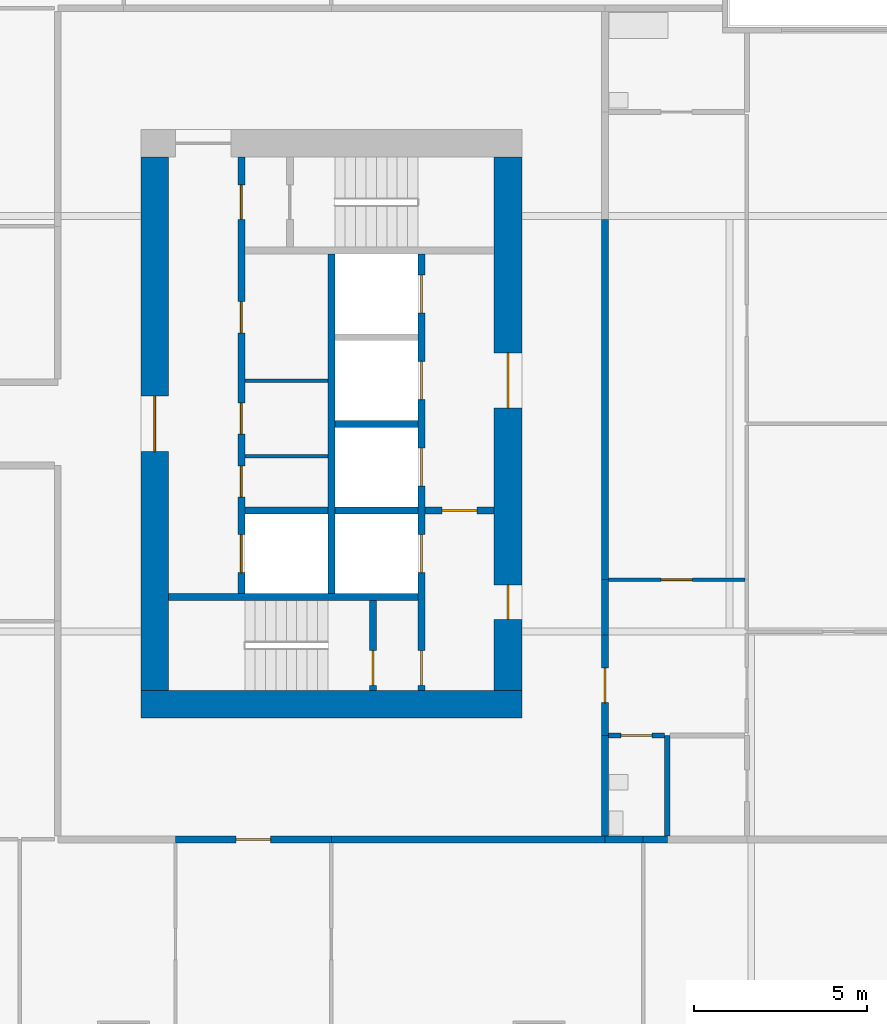
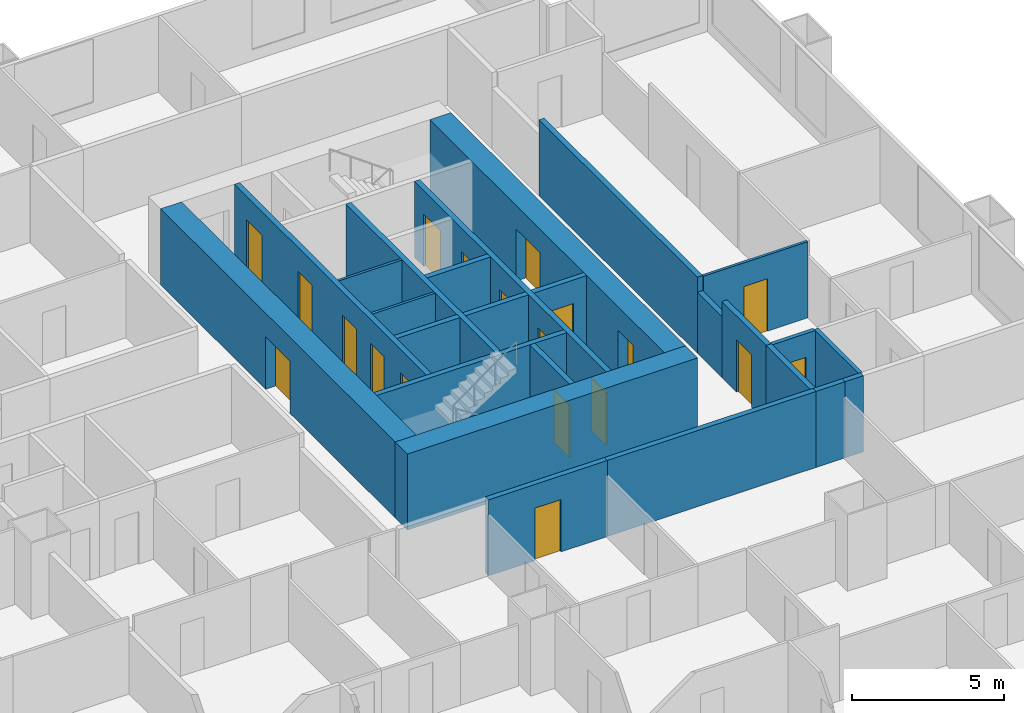
# One storey, part 7 of 14: 25 walls, 19 doors, 19 openings.
"""IFC4 building model written with IfcOpenShell, lengths in metres."""

from ifc_helpers import new_model, si_unit, direction, frame, frame_2d, origin, place, context, subcontext, project, spatial, rectangle, extrude, material, layer, layer_set, type_object, element, fill, save


model = new_model("IFC4")

# Units and contexts
model_context = context("Model", 3, precision=1e-05, world=origin(), true_north=direction((0.0, 1.0)))
body_context = subcontext(model_context, "Body", "Model", "MODEL_VIEW")
ifc_project = project(units=[si_unit("LENGTHUNIT", "METRE"), si_unit("AREAUNIT", "SQUARE_METRE"), si_unit("VOLUMEUNIT", "CUBIC_METRE"), si_unit("PLANEANGLEUNIT", "RADIAN"), si_unit("MASSUNIT", "GRAM", prefix="KILO")], contexts=[model_context])

# Site, building, storey
site_placement = place(None, origin())
site = spatial("IfcSite", under=ifc_project, at=site_placement, CompositionType="ELEMENT")
building_placement = place(site_placement, origin())
building = spatial("IfcBuilding", under=site, at=building_placement, Name="Kitamizu Gate Tower and Museum", CompositionType="ELEMENT")
storey_placement = place(building_placement, frame((0.0, 0.0, 61.050048828125)))
storey = spatial("IfcBuildingStorey", under=building, at=storey_placement, Name="L14", CompositionType="ELEMENT", Elevation=61.050048828125)

# Wall
ifc_material_1 = material(Name="Concrete Fc60", Category="concrete")
ifc_layer_1 = layer(ifc_material_1, 0.800048828125)
ifc_layer_set_1 = layer_set([ifc_layer_1], Name="Concrete Fc60")
wall_type_1 = type_object("IfcWallType", Name="Core wall 800", PredefinedType="SHEAR", material=ifc_layer_set_1)
wall_1_placement = place(storey_placement, frame((59.5, 21.89990234375, 0.0), z_axis=(0.0, 0.0, 1.0), x_axis=(-1.0, 0.0, 0.0)))
element("IfcWall", 1, at=wall_1_placement, inside=storey, type_object=wall_type_1, Name="Core wall ES", PredefinedType="SHEAR", context=body_context, shape_type="SweptSolid", body=[
    extrude(rectangle(XDim=11.0, YDim=0.800048828125, at=frame_2d((5.5, 0.0))), origin(), (0.0, 0.0, 1.0), 3.050048828125),
])

# Wall, openings, doors
wall_2_placement = place(storey_placement, frame((59.10009765625, 22.300048828125, 0.0), z_axis=(0.0, 0.0, 1.0), x_axis=(0.0, 1.0, 0.0)))
wall_2 = element("IfcWall", 2, at=wall_2_placement, inside=storey, type_object=wall_type_1, Name="Core wall EOUT", PredefinedType="SHEAR", context=body_context, shape_type="SweptSolid", body=[
    extrude(rectangle(XDim=15.39990234375, YDim=0.800048828125, at=frame_2d((7.699951171875, 0.0))), origin(), (0.0, 0.0, 1.0), 3.050048828125),
])
opening_1_placement = place(wall_2_placement, frame((8.14990234375, 0.0, 0.0)))
opening_1 = element("IfcOpeningElement", 3, at=opening_1_placement, cuts=wall_2, Name="Opening L14-102", PredefinedType="OPENING", context=body_context, shape_type="SweptSolid", body=[
    extrude(rectangle(XDim=1.60009765625, YDim=2.10009765625, at=frame_2d((0.800048828125, 1.050048828125))), frame((0.0, 0.41015625, 0.0), z_axis=(0.0, -1.0, 0.0), x_axis=(1.0, 0.0, 0.0)), (0.0, 0.0, 1.0), 0.820068359375),
])
opening_2_placement = place(wall_2_placement, frame((2.050048828125, 0.0, 0.0)))
opening_2 = element("IfcOpeningElement", 4, at=opening_2_placement, cuts=wall_2, Name="Opening L14-103", PredefinedType="OPENING", context=body_context, shape_type="SweptSolid", body=[
    extrude(rectangle(XDim=1.0, YDim=2.10009765625, at=frame_2d((0.5, 1.050048828125))), frame((0.0, 0.41015625, 0.0), z_axis=(0.0, -1.0, 0.0), x_axis=(1.0, 0.0, 0.0)), (0.0, 0.0, 1.0), 0.820068359375),
])
ifc_material_2 = material(Name="Timber door set", Category="wood")
door_type_1 = type_object("IfcDoorType", Name="Entrance door 1600", OperationType="DOUBLE_DOOR_SINGLE_SWING", PredefinedType="DOOR", material=ifc_material_2)
door_1_placement = place(opening_1_placement, origin())
door_1 = element("IfcDoor", 5, at=door_1_placement, inside=storey, type_object=door_type_1, Name="Lobby door L14-102", OperationType="DOUBLE_DOOR_SINGLE_SWING", OverallHeight=2.10009765625, OverallWidth=1.60009765625, PredefinedType="DOOR", context=body_context, shape_type="SweptSolid", body=[
    extrude(rectangle(XDim=1.60009765625, YDim=2.10009765625, at=frame_2d((0.800048828125, 1.050048828125))), frame((0.0, 0.02490234375, 0.0), z_axis=(0.0, -1.0, 0.0), x_axis=(1.0, 0.0, 0.0)), (0.0, 0.0, 1.0), 0.050048828125),
])
fill(opening_1, door_1)
ifc_material_3 = material(Name="Hollow metal door set")
door_type_2 = type_object("IfcDoorType", Name="Fire door 1000", OperationType="NOTDEFINED", PredefinedType="DOOR", material=ifc_material_3)
door_2_placement = place(opening_2_placement, origin())
door_2 = element("IfcDoor", 6, at=door_2_placement, inside=storey, type_object=door_type_2, Name="Fire-fighting lobby door L14-103", OperationType="SINGLE_SWING_RIGHT", OverallHeight=2.10009765625, OverallWidth=1.0, PredefinedType="DOOR", context=body_context, shape_type="SweptSolid", body=[
    extrude(rectangle(XDim=1.0, YDim=2.10009765625, at=frame_2d((0.5, 1.050048828125))), frame((0.0, 0.02490234375, 0.0), z_axis=(0.0, -1.0, 0.0), x_axis=(1.0, 0.0, 0.0)), (0.0, 0.0, 1.0), 0.050048828125),
])
fill(opening_2, door_2)

# Wall, opening, door
wall_3_placement = place(storey_placement, frame((48.89990234375, 22.300048828125, 0.0), z_axis=(0.0, 0.0, 1.0), x_axis=(0.0, 1.0, 0.0)))
wall_3 = element("IfcWall", 7, at=wall_3_placement, inside=storey, type_object=wall_type_1, Name="Core wall EARC", PredefinedType="SHEAR", context=body_context, shape_type="SweptSolid", body=[
    extrude(rectangle(XDim=15.39990234375, YDim=0.800048828125, at=frame_2d((7.699951171875, 0.0))), origin(), (0.0, 0.0, 1.0), 3.050048828125),
])
opening_3_placement = place(wall_3_placement, frame((6.89990234375, 0.0, 0.0)))
opening_3 = element("IfcOpeningElement", 8, at=opening_3_placement, cuts=wall_3, Name="Opening L14-105", PredefinedType="OPENING", context=body_context, shape_type="SweptSolid", body=[
    extrude(rectangle(XDim=1.60009765625, YDim=2.10009765625, at=frame_2d((0.800048828125, 1.050048828125))), frame((0.0, 0.41015625, 0.0), z_axis=(0.0, -1.0, 0.0), x_axis=(1.0, 0.0, 0.0)), (0.0, 0.0, 1.0), 0.820068359375),
])
door_3_placement = place(opening_3_placement, origin())
door_3 = element("IfcDoor", 9, at=door_3_placement, inside=storey, type_object=door_type_1, Name="Lobby door L14-105", OperationType="DOUBLE_DOOR_SINGLE_SWING", OverallHeight=2.10009765625, OverallWidth=1.60009765625, PredefinedType="DOOR", context=body_context, shape_type="SweptSolid", body=[
    extrude(rectangle(XDim=1.60009765625, YDim=2.10009765625, at=frame_2d((0.800048828125, 1.050048828125))), frame((0.0, 0.02490234375, 0.0), z_axis=(0.0, -1.0, 0.0), x_axis=(1.0, 0.0, 0.0)), (0.0, 0.0, 1.0), 0.050048828125),
])
fill(opening_3, door_3)

# Walls
ifc_material_4 = material(Name="Gypsum board on galvanised stud")
ifc_layer_2 = layer(ifc_material_4, 0.10009765625)
ifc_layer_set_2 = layer_set([ifc_layer_2], Name="Gypsum board on galvanised stud")
wall_type_2 = type_object("IfcWallType", Name="Partition 100", PredefinedType="PARTITIONING", material=ifc_layer_set_2)
for number, where, z_axis, x_axis, name in (
    (10, (53.89990234375, 29.06005859375, 0.0), (0.0, 0.0, 1.0), (-1.0, 0.0, 0.0), "Partition EPF1"),
    (11, (53.89990234375, 31.25, 0.0), (0.0, 0.0, 1.0), (-1.0, 0.0, 0.0), "Partition EPF2"),
):
    element("IfcWall", number, at=place(storey_placement, frame(where, z_axis=z_axis, x_axis=x_axis)), inside=storey, type_object=wall_type_2, Name=name, PredefinedType="PARTITIONING", context=body_context, shape_type="SweptSolid", body=[
        extrude(rectangle(XDim=2.39990234375, YDim=0.10009765625, at=frame_2d((1.199951171875, 0.0))), origin(), (0.0, 0.0, 1.0), 3.050048828125),
    ])

# Wall, opening, door
ifc_material_5 = material(Name="Gypsum board on galvanised stud")
ifc_layer_3 = layer(ifc_material_5, 0.10009765625)
ifc_layer_set_3 = layer_set([ifc_layer_3], Name="Gypsum board on galvanised stud")
wall_type_3 = type_object("IfcWallType", Name="Partition 100 NOT RATED", PredefinedType="PARTITIONING", material=ifc_layer_set_3)
wall_4_placement = place(storey_placement, frame((65.949951171875, 25.5, 0.0), z_axis=(0.0, 0.0, 1.0), x_axis=(-1.0, 0.0, 0.0)))
wall_4 = element("IfcWall", 12, at=wall_4_placement, inside=storey, type_object=wall_type_3, Name="Partition L14-220", PredefinedType="PARTITIONING", context=body_context, shape_type="SweptSolid", body=[
    extrude(rectangle(XDim=3.949951171875, YDim=0.10009765625, at=frame_2d((1.97509765625, 0.0))), origin(), (0.0, 0.0, 1.0), 3.050048828125),
])
opening_4_placement = place(wall_4_placement, frame((1.52490234375, 0.0, 0.0)))
opening_4 = element("IfcOpeningElement", 13, at=opening_4_placement, cuts=wall_4, Name="Opening L14-079", PredefinedType="OPENING", context=body_context, shape_type="SweptSolid", body=[
    extrude(rectangle(XDim=0.89990234375, YDim=2.10009765625, at=frame_2d((0.449951171875, 1.050048828125))), frame((0.0, 0.06005859375, 0.0), z_axis=(0.0, -1.0, 0.0), x_axis=(1.0, 0.0, 0.0)), (0.0, 0.0, 1.0), 0.1201171875),
])
ifc_material_6 = material(Name="Timber door set", Category="wood")
door_type_3 = type_object("IfcDoorType", Name="Room door 900", OperationType="NOTDEFINED", PredefinedType="DOOR", material=ifc_material_6)
door_4_placement = place(opening_4_placement, origin())
door_4 = element("IfcDoor", 14, at=door_4_placement, inside=storey, type_object=door_type_3, Name="Door L14-079", OperationType="SINGLE_SWING_RIGHT", OverallHeight=2.10009765625, OverallWidth=0.89990234375, PredefinedType="DOOR", context=body_context, shape_type="SweptSolid", body=[
    extrude(rectangle(XDim=0.89990234375, YDim=2.10009765625, at=frame_2d((0.449951171875, 1.050048828125))), frame((0.0, 0.02490234375, 0.0), z_axis=(0.0, -1.0, 0.0), x_axis=(1.0, 0.0, 0.0)), (0.0, 0.0, 1.0), 0.050048828125),
])
fill(opening_4, door_4)

# Wall
ifc_material_7 = material(Name="Gypsum board on galvanised stud")
ifc_layer_4 = layer(ifc_material_7, 0.14990234375)
ifc_layer_set_4 = layer_set([ifc_layer_4], Name="Gypsum board on galvanised stud")
wall_type_4 = type_object("IfcWallType", Name="Partition 150", PredefinedType="PARTITIONING", material=ifc_layer_set_4)
wall_5_placement = place(storey_placement, frame((63.699951171875, 18.10009765625, 0.0), z_axis=(0.0, 0.0, 1.0), x_axis=(0.0, 1.0, 0.0)))
element("IfcWall", 15, at=wall_5_placement, inside=storey, type_object=wall_type_4, Name="Partition L14-216", PredefinedType="PARTITIONING", context=body_context, shape_type="SweptSolid", body=[
    extrude(rectangle(XDim=2.89990234375, YDim=0.14990234375, at=frame_2d((1.449951171875, 0.0))), origin(), (0.0, 0.0, 1.0), 3.050048828125),
])

# Wall, opening, door
wall_6_placement = place(storey_placement, frame((63.625, 21.0, 0.0), z_axis=(0.0, 0.0, 1.0), x_axis=(-1.0, 0.0, 0.0)))
wall_6 = element("IfcWall", 16, at=wall_6_placement, inside=storey, type_object=wall_type_4, Name="Partition L14-217", PredefinedType="PARTITIONING", context=body_context, shape_type="SweptSolid", body=[
    extrude(rectangle(XDim=1.625, YDim=0.14990234375, at=frame_2d((0.8125, 0.0))), origin(), (0.0, 0.0, 1.0), 3.050048828125),
])
opening_5_placement = place(wall_6_placement, frame((0.362548828125, 0.0, 0.0)))
opening_5 = element("IfcOpeningElement", 17, at=opening_5_placement, cuts=wall_6, Name="Opening L14-082", PredefinedType="OPENING", context=body_context, shape_type="SweptSolid", body=[
    extrude(rectangle(XDim=0.89990234375, YDim=2.10009765625, at=frame_2d((0.449951171875, 1.050048828125))), frame((0.0, 0.0849609375, 0.0), z_axis=(0.0, -1.0, 0.0), x_axis=(1.0, 0.0, 0.0)), (0.0, 0.0, 1.0), 0.169921875),
])
ifc_material_8 = material(Name="Timber door set", Category="wood")
door_type_4 = type_object("IfcDoorType", Name="Bathroom door 900", OperationType="NOTDEFINED", PredefinedType="DOOR", material=ifc_material_8)
door_5_placement = place(opening_5_placement, origin())
door_5 = element("IfcDoor", 18, at=door_5_placement, inside=storey, type_object=door_type_4, Name="Bathroom door L14-082", OperationType="SINGLE_SWING_LEFT", OverallHeight=2.10009765625, OverallWidth=0.89990234375, PredefinedType="DOOR", context=body_context, shape_type="SweptSolid", body=[
    extrude(rectangle(XDim=0.89990234375, YDim=2.10009765625, at=frame_2d((0.449951171875, 1.050048828125))), frame((0.0, 0.02490234375, 0.0), z_axis=(0.0, -1.0, 0.0), x_axis=(1.0, 0.0, 0.0)), (0.0, 0.0, 1.0), 0.050048828125),
])
fill(opening_5, door_5)

ifc_material_9 = material(Name="Gypsum board on galvanised stud")
ifc_layer_5 = layer(ifc_material_9, 0.199951171875)
ifc_layer_set_5 = layer_set([ifc_layer_5], Name="Gypsum board on galvanised stud")
wall_type_5 = type_object("IfcWallType", Name="Partition 200", PredefinedType="PARTITIONING", material=ifc_layer_set_5)
wall_7_placement = place(storey_placement, frame((54.0, 18.0, 0.0), z_axis=(0.0, 0.0, 1.0), x_axis=(-1.0, 0.0, 0.0)))
wall_7 = element("IfcWall", 19, at=wall_7_placement, inside=storey, type_object=wall_type_5, Name="Partition L14-108", PredefinedType="PARTITIONING", context=body_context, shape_type="SweptSolid", body=[
    extrude(rectangle(XDim=4.5, YDim=0.199951171875, at=frame_2d((2.25, 0.0))), origin(), (0.0, 0.0, 1.0), 3.050048828125),
])
opening_6_placement = place(wall_7_placement, frame((1.75, 0.0, 0.0)))
opening_6 = element("IfcOpeningElement", 20, at=opening_6_placement, cuts=wall_7, Name="Opening L14-025", PredefinedType="OPENING", context=body_context, shape_type="SweptSolid", body=[
    extrude(rectangle(XDim=1.0, YDim=2.10009765625, at=frame_2d((0.5, 1.050048828125))), frame((0.0, 0.10986328125, 0.0), z_axis=(0.0, -1.0, 0.0), x_axis=(1.0, 0.0, 0.0)), (0.0, 0.0, 1.0), 0.219970703125),
])
ifc_material_10 = material(Name="Timber door set", Category="wood")
door_type_5 = type_object("IfcDoorType", Name="Flat entrance door 1000", OperationType="NOTDEFINED", PredefinedType="DOOR", material=ifc_material_10)
door_6_placement = place(opening_6_placement, origin())
door_6 = element("IfcDoor", 21, at=door_6_placement, inside=storey, type_object=door_type_5, Name="Flat entrance door L14-025", OperationType="SINGLE_SWING_RIGHT", OverallHeight=2.10009765625, OverallWidth=1.0, PredefinedType="DOOR", context=body_context, shape_type="SweptSolid", body=[
    extrude(rectangle(XDim=1.0, YDim=2.10009765625, at=frame_2d((0.5, 1.050048828125))), frame((0.0, 0.02490234375, 0.0), z_axis=(0.0, -1.0, 0.0), x_axis=(1.0, 0.0, 0.0)), (0.0, 0.0, 1.0), 0.050048828125),
])
fill(opening_6, door_6)

# Walls
wall_8_placement = place(storey_placement, frame((63.0, 18.0, 0.0), z_axis=(0.0, 0.0, 1.0), x_axis=(-1.0, 0.0, 0.0)))
element("IfcWall", 22, at=wall_8_placement, inside=storey, type_object=wall_type_5, Name="Partition L14-110", PredefinedType="PARTITIONING", context=body_context, shape_type="SweptSolid", body=[
    extrude(rectangle(XDim=1.10009765625, YDim=0.199951171875, at=frame_2d((0.550048828125, 0.0))), origin(), (0.0, 0.0, 1.0), 3.050048828125),
])
wall_9_placement = place(storey_placement, frame((61.89990234375, 18.0, 0.0), z_axis=(0.0, 0.0, 1.0), x_axis=(-1.0, 0.0, 0.0)))
element("IfcWall", 23, at=wall_9_placement, inside=storey, type_object=wall_type_5, Name="Partition L14-111", PredefinedType="PARTITIONING", context=body_context, shape_type="SweptSolid", body=[
    extrude(rectangle(XDim=7.89990234375, YDim=0.199951171875, at=frame_2d((3.949951171875, 0.0))), origin(), (0.0, 0.0, 1.0), 3.050048828125),
])
wall_10_placement = place(storey_placement, frame((63.699951171875, 18.0, 0.0), z_axis=(0.0, 0.0, 1.0), x_axis=(-1.0, 0.0, 0.0)))
element("IfcWall", 24, at=wall_10_placement, inside=storey, type_object=wall_type_5, Name="Partition L14-113", PredefinedType="PARTITIONING", context=body_context, shape_type="SweptSolid", body=[
    extrude(rectangle(XDim=0.699951171875, YDim=0.199951171875, at=frame_2d((0.35009765625, 0.0))), origin(), (0.0, 0.0, 1.0), 3.050048828125),
])
wall_11_placement = place(storey_placement, frame((61.89990234375, 21.0, 0.0), z_axis=(0.0, 0.0, 1.0), x_axis=(0.0, -1.0, 0.0)))
element("IfcWall", 25, at=wall_11_placement, inside=storey, type_object=wall_type_5, Name="Partition L14-218", PredefinedType="PARTITIONING", context=body_context, shape_type="SweptSolid", body=[
    extrude(rectangle(XDim=2.89990234375, YDim=0.199951171875, at=frame_2d((1.449951171875, 0.0))), origin(), (0.0, 0.0, 1.0), 3.050048828125),
])
wall_12_placement = place(storey_placement, frame((61.89990234375, 25.5, 0.0), z_axis=(0.0, 0.0, 1.0), x_axis=(0.0, -1.0, 0.0)))
element("IfcWall", 26, at=wall_12_placement, inside=storey, type_object=wall_type_5, Name="Partition L14-221", PredefinedType="PARTITIONING", context=body_context, shape_type="SweptSolid", body=[
    extrude(rectangle(XDim=1.60009765625, YDim=0.199951171875, at=frame_2d((0.800048828125, 0.0))), origin(), (0.0, 0.0, 1.0), 2.449951171875),
])

# Wall, opening, door
wall_13_placement = place(storey_placement, frame((61.89990234375, 23.89990234375, 0.0), z_axis=(0.0, 0.0, 1.0), x_axis=(0.0, -1.0, 0.0)))
wall_13 = element("IfcWall", 27, at=wall_13_placement, inside=storey, type_object=wall_type_5, Name="Partition L14-222", PredefinedType="PARTITIONING", context=body_context, shape_type="SweptSolid", body=[
    extrude(rectangle(XDim=2.89990234375, YDim=0.199951171875, at=frame_2d((1.449951171875, 0.0))), origin(), (0.0, 0.0, 1.0), 3.050048828125),
])
opening_7_placement = place(wall_13_placement, frame((0.949951171875, 0.0, 0.0)))
opening_7 = element("IfcOpeningElement", 28, at=opening_7_placement, cuts=wall_13, Name="Opening L14-077", PredefinedType="OPENING", context=body_context, shape_type="SweptSolid", body=[
    extrude(rectangle(XDim=1.0, YDim=2.10009765625, at=frame_2d((0.5, 1.050048828125))), frame((0.0, 0.10986328125, 0.0), z_axis=(0.0, -1.0, 0.0), x_axis=(1.0, 0.0, 0.0)), (0.0, 0.0, 1.0), 0.219970703125),
])
door_7_placement = place(opening_7_placement, origin())
door_7 = element("IfcDoor", 29, at=door_7_placement, inside=storey, type_object=door_type_5, Name="Flat entrance door L14-077", OperationType="SINGLE_SWING_LEFT", OverallHeight=2.10009765625, OverallWidth=1.0, PredefinedType="DOOR", context=body_context, shape_type="SweptSolid", body=[
    extrude(rectangle(XDim=1.0, YDim=2.10009765625, at=frame_2d((0.5, 1.050048828125))), frame((0.0, 0.02490234375, 0.0), z_axis=(0.0, -1.0, 0.0), x_axis=(1.0, 0.0, 0.0)), (0.0, 0.0, 1.0), 0.050048828125),
])
fill(opening_7, door_7)

# Wall
wall_14_placement = place(storey_placement, frame((61.89990234375, 35.89990234375, 0.0), z_axis=(0.0, 0.0, 1.0), x_axis=(0.0, -1.0, 0.0)))
element("IfcWall", 30, at=wall_14_placement, inside=storey, type_object=wall_type_5, Name="Partition L14-225", PredefinedType="PARTITIONING", context=body_context, shape_type="SweptSolid", body=[
    extrude(rectangle(XDim=10.39990234375, YDim=0.199951171875, at=frame_2d((5.199951171875, 0.0))), origin(), (0.0, 0.0, 1.0), 3.050048828125),
])

# Wall, openings, doors
ifc_material_11 = material(Name="Concrete Fc42", Category="concrete")
ifc_layer_6 = layer(ifc_material_11, 0.199951171875)
ifc_layer_set_6 = layer_set([ifc_layer_6], Name="Concrete Fc42")
wall_type_6 = type_object("IfcWallType", Name="Shaft wall 200", PredefinedType="SOLIDWALL", material=ifc_layer_set_6)
wall_15_placement = place(storey_placement, frame((56.60009765625, 22.300048828125, 0.0), z_axis=(0.0, 0.0, 1.0), x_axis=(0.0, 1.0, 0.0)))
wall_15 = element("IfcWall", 31, at=wall_15_placement, inside=storey, type_object=wall_type_6, Name="Shaft wall EWEST", PredefinedType="SOLIDWALL", context=body_context, shape_type="SweptSolid", body=[
    extrude(rectangle(XDim=12.599853515625, YDim=0.199951171875, at=frame_2d((6.2998046875, 0.0))), origin(), (0.0, 0.0, 1.0), 3.050048828125),
])
opening_8_placement = place(wall_15_placement, frame((3.39990234375, 0.0, 0.0)))
opening_8 = element("IfcOpeningElement", 32, at=opening_8_placement, cuts=wall_15, Name="Opening LD", PredefinedType="OPENING", context=body_context, shape_type="SweptSolid", body=[
    extrude(rectangle(XDim=1.10009765625, YDim=2.10009765625, at=frame_2d((0.550048828125, 1.050048828125))), frame((0.0, 0.10986328125, 0.0), z_axis=(0.0, -1.0, 0.0), x_axis=(1.0, 0.0, 0.0)), (0.0, 0.0, 1.0), 0.219970703125),
])
opening_9_placement = place(wall_15_placement, frame((5.89990234375, 0.0, 0.0)))
opening_9 = element("IfcOpeningElement", 33, at=opening_9_placement, cuts=wall_15, Name="Opening LD", PredefinedType="OPENING", context=body_context, shape_type="SweptSolid", body=[
    extrude(rectangle(XDim=1.10009765625, YDim=2.10009765625, at=frame_2d((0.550048828125, 1.050048828125))), frame((0.0, 0.10986328125, 0.0), z_axis=(0.0, -1.0, 0.0), x_axis=(1.0, 0.0, 0.0)), (0.0, 0.0, 1.0), 0.219970703125),
])
opening_10_placement = place(wall_15_placement, frame((8.39990234375, 0.0, 0.0)))
opening_10 = element("IfcOpeningElement", 34, at=opening_10_placement, cuts=wall_15, Name="Opening LD", PredefinedType="OPENING", context=body_context, shape_type="SweptSolid", body=[
    extrude(rectangle(XDim=1.10009765625, YDim=2.10009765625, at=frame_2d((0.550048828125, 1.050048828125))), frame((0.0, 0.10986328125, 0.0), z_axis=(0.0, -1.0, 0.0), x_axis=(1.0, 0.0, 0.0)), (0.0, 0.0, 1.0), 0.219970703125),
])
opening_11_placement = place(wall_15_placement, frame((10.89990234375, 0.0, 0.0)))
opening_11 = element("IfcOpeningElement", 35, at=opening_11_placement, cuts=wall_15, Name="Opening LD", PredefinedType="OPENING", context=body_context, shape_type="SweptSolid", body=[
    extrude(rectangle(XDim=1.10009765625, YDim=2.10009765625, at=frame_2d((0.550048828125, 1.050048828125))), frame((0.0, 0.10986328125, 0.0), z_axis=(0.0, -1.0, 0.0), x_axis=(1.0, 0.0, 0.0)), (0.0, 0.0, 1.0), 0.219970703125),
])
opening_12_placement = place(wall_15_placement, frame((0.14990234375, 0.0, 0.0)))
opening_12 = element("IfcOpeningElement", 36, at=opening_12_placement, cuts=wall_15, Name="Opening L14-098", PredefinedType="OPENING", context=body_context, shape_type="SweptSolid", body=[
    extrude(rectangle(XDim=1.0, YDim=2.10009765625, at=frame_2d((0.5, 1.050048828125))), frame((0.0, 0.10986328125, 0.0), z_axis=(0.0, -1.0, 0.0), x_axis=(1.0, 0.0, 0.0)), (0.0, 0.0, 1.0), 0.219970703125),
])
door_8_placement = place(opening_12_placement, origin())
door_8 = element("IfcDoor", 37, at=door_8_placement, inside=storey, type_object=door_type_2, Name="Stair lobby door L14-098", OperationType="SINGLE_SWING_RIGHT", OverallHeight=2.10009765625, OverallWidth=1.0, PredefinedType="DOOR", context=body_context, shape_type="SweptSolid", body=[
    extrude(rectangle(XDim=1.0, YDim=2.10009765625, at=frame_2d((0.5, 1.050048828125))), frame((0.0, 0.02490234375, 0.0), z_axis=(0.0, -1.0, 0.0), x_axis=(1.0, 0.0, 0.0)), (0.0, 0.0, 1.0), 0.050048828125),
])
fill(opening_12, door_8)
ifc_material_12 = material(Name="Hollow metal door set")
door_type_6 = type_object("IfcDoorType", Name="Landing door 1100", OperationType="SLIDING_TO_LEFT", PredefinedType="DOOR", material=ifc_material_12)
door_9_placement = place(opening_8_placement, origin())
door_9 = element("IfcDoor", 38, at=door_9_placement, inside=storey, type_object=door_type_6, Name="Landing door EFF1", OperationType="SLIDING_TO_LEFT", OverallHeight=2.10009765625, OverallWidth=1.10009765625, PredefinedType="DOOR", context=body_context, shape_type="SweptSolid", body=[
    extrude(rectangle(XDim=1.10009765625, YDim=2.10009765625, at=frame_2d((0.550048828125, 1.050048828125))), frame((0.0, 0.02490234375, 0.0), z_axis=(0.0, -1.0, 0.0), x_axis=(1.0, 0.0, 0.0)), (0.0, 0.0, 1.0), 0.050048828125),
])
fill(opening_8, door_9)
door_10_placement = place(opening_9_placement, origin())
door_10 = element("IfcDoor", 39, at=door_10_placement, inside=storey, type_object=door_type_6, Name="Landing door EL1", OperationType="SLIDING_TO_LEFT", OverallHeight=2.10009765625, OverallWidth=1.10009765625, PredefinedType="DOOR", context=body_context, shape_type="SweptSolid", body=[
    extrude(rectangle(XDim=1.10009765625, YDim=2.10009765625, at=frame_2d((0.550048828125, 1.050048828125))), frame((0.0, 0.02490234375, 0.0), z_axis=(0.0, -1.0, 0.0), x_axis=(1.0, 0.0, 0.0)), (0.0, 0.0, 1.0), 0.050048828125),
])
fill(opening_9, door_10)
door_11_placement = place(opening_10_placement, origin())
door_11 = element("IfcDoor", 40, at=door_11_placement, inside=storey, type_object=door_type_6, Name="Landing door EL2", OperationType="SLIDING_TO_LEFT", OverallHeight=2.10009765625, OverallWidth=1.10009765625, PredefinedType="DOOR", context=body_context, shape_type="SweptSolid", body=[
    extrude(rectangle(XDim=1.10009765625, YDim=2.10009765625, at=frame_2d((0.550048828125, 1.050048828125))), frame((0.0, 0.02490234375, 0.0), z_axis=(0.0, -1.0, 0.0), x_axis=(1.0, 0.0, 0.0)), (0.0, 0.0, 1.0), 0.050048828125),
])
fill(opening_10, door_11)
door_12_placement = place(opening_11_placement, origin())
door_12 = element("IfcDoor", 41, at=door_12_placement, inside=storey, type_object=door_type_6, Name="Landing door EL3", OperationType="SLIDING_TO_LEFT", OverallHeight=2.10009765625, OverallWidth=1.10009765625, PredefinedType="DOOR", context=body_context, shape_type="SweptSolid", body=[
    extrude(rectangle(XDim=1.10009765625, YDim=2.10009765625, at=frame_2d((0.550048828125, 1.050048828125))), frame((0.0, 0.02490234375, 0.0), z_axis=(0.0, -1.0, 0.0), x_axis=(1.0, 0.0, 0.0)), (0.0, 0.0, 1.0), 0.050048828125),
])
fill(opening_11, door_12)

wall_16_placement = place(storey_placement, frame((51.39990234375, 25.10009765625, 0.0), z_axis=(0.0, 0.0, 1.0), x_axis=(0.0, 1.0, 0.0)))
wall_16 = element("IfcWall", 42, at=wall_16_placement, inside=storey, type_object=wall_type_6, Name="Shaft wall EEAST", PredefinedType="SOLIDWALL", context=body_context, shape_type="SweptSolid", body=[
    extrude(rectangle(XDim=12.599853515625, YDim=0.199951171875, at=frame_2d((6.2998046875, 0.0))), origin(), (0.0, 0.0, 1.0), 3.050048828125),
])
opening_13_placement = place(wall_16_placement, frame((0.60009765625, 0.0, 0.0)))
opening_13 = element("IfcOpeningElement", 43, at=opening_13_placement, cuts=wall_16, Name="Opening LD", PredefinedType="OPENING", context=body_context, shape_type="SweptSolid", body=[
    extrude(rectangle(XDim=1.10009765625, YDim=2.10009765625, at=frame_2d((0.550048828125, 1.050048828125))), frame((0.0, 0.10986328125, 0.0), z_axis=(0.0, -1.0, 0.0), x_axis=(1.0, 0.0, 0.0)), (0.0, 0.0, 1.0), 0.219970703125),
])
opening_14_placement = place(wall_16_placement, frame((10.800048828125, 0.0, 0.0)))
opening_14 = element("IfcOpeningElement", 44, at=opening_14_placement, cuts=wall_16, Name="Opening L14-099", PredefinedType="OPENING", context=body_context, shape_type="SweptSolid", body=[
    extrude(rectangle(XDim=1.0, YDim=2.10009765625, at=frame_2d((0.5, 1.050048828125))), frame((0.0, 0.10986328125, 0.0), z_axis=(0.0, -1.0, 0.0), x_axis=(1.0, 0.0, 0.0)), (0.0, 0.0, 1.0), 0.219970703125),
])
opening_15_placement = place(wall_16_placement, frame((2.780029296875, 0.0, 0.0)))
opening_15 = element("IfcOpeningElement", 45, at=opening_15_placement, cuts=wall_16, Name="Opening L14-106", PredefinedType="OPENING", context=body_context, shape_type="SweptSolid", body=[
    extrude(rectangle(XDim=0.89990234375, YDim=2.10009765625, at=frame_2d((0.449951171875, 1.050048828125))), frame((0.0, 0.10986328125, 0.0), z_axis=(0.0, -1.0, 0.0), x_axis=(1.0, 0.0, 0.0)), (0.0, 0.0, 1.0), 0.219970703125),
])
opening_16_placement = place(wall_16_placement, frame((4.60498046875, 0.0, 0.0)))
opening_16 = element("IfcOpeningElement", 46, at=opening_16_placement, cuts=wall_16, Name="Opening L14-107", PredefinedType="OPENING", context=body_context, shape_type="SweptSolid", body=[
    extrude(rectangle(XDim=0.89990234375, YDim=2.10009765625, at=frame_2d((0.449951171875, 1.050048828125))), frame((0.0, 0.10986328125, 0.0), z_axis=(0.0, -1.0, 0.0), x_axis=(1.0, 0.0, 0.0)), (0.0, 0.0, 1.0), 0.219970703125),
])
opening_17_placement = place(wall_16_placement, frame((7.52490234375, 0.0, 0.0)))
opening_17 = element("IfcOpeningElement", 47, at=opening_17_placement, cuts=wall_16, Name="Opening L14-108", PredefinedType="OPENING", context=body_context, shape_type="SweptSolid", body=[
    extrude(rectangle(XDim=0.89990234375, YDim=2.10009765625, at=frame_2d((0.449951171875, 1.050048828125))), frame((0.0, 0.10986328125, 0.0), z_axis=(0.0, -1.0, 0.0), x_axis=(1.0, 0.0, 0.0)), (0.0, 0.0, 1.0), 0.219970703125),
])
door_13_placement = place(opening_14_placement, frame((1.0, 0.0, 0.0), x_axis=(-1.0, 0.0, 0.0)))
door_13 = element("IfcDoor", 48, at=door_13_placement, inside=storey, type_object=door_type_2, Name="Stair lobby door L14-099", OperationType="SINGLE_SWING_RIGHT", OverallHeight=2.10009765625, OverallWidth=1.0, PredefinedType="DOOR", context=body_context, shape_type="SweptSolid", body=[
    extrude(rectangle(XDim=1.0, YDim=2.10009765625, at=frame_2d((0.5, 1.050048828125))), frame((0.0, 0.02490234375, 0.0), z_axis=(0.0, -1.0, 0.0), x_axis=(1.0, 0.0, 0.0)), (0.0, 0.0, 1.0), 0.050048828125),
])
fill(opening_14, door_13)
door_14_placement = place(opening_13_placement, origin())
door_14 = element("IfcDoor", 49, at=door_14_placement, inside=storey, type_object=door_type_6, Name="Landing door ESV1", OperationType="SLIDING_TO_LEFT", OverallHeight=2.10009765625, OverallWidth=1.10009765625, PredefinedType="DOOR", context=body_context, shape_type="SweptSolid", body=[
    extrude(rectangle(XDim=1.10009765625, YDim=2.10009765625, at=frame_2d((0.550048828125, 1.050048828125))), frame((0.0, 0.02490234375, 0.0), z_axis=(0.0, -1.0, 0.0), x_axis=(1.0, 0.0, 0.0)), (0.0, 0.0, 1.0), 0.050048828125),
])
fill(opening_13, door_14)
ifc_material_13 = material(Name="Timber door set", Category="wood")
door_type_7 = type_object("IfcDoorType", Name="Service door 900", OperationType="NOTDEFINED", PredefinedType="DOOR", material=ifc_material_13)
door_15_placement = place(opening_15_placement, frame((0.89990234375, 0.0, 0.0), x_axis=(-1.0, 0.0, 0.0)))
door_15 = element("IfcDoor", 50, at=door_15_placement, inside=storey, type_object=door_type_7, Name="Service door L14-106", OperationType="SINGLE_SWING_RIGHT", OverallHeight=2.10009765625, OverallWidth=0.89990234375, PredefinedType="DOOR", context=body_context, shape_type="SweptSolid", body=[
    extrude(rectangle(XDim=0.89990234375, YDim=2.10009765625, at=frame_2d((0.449951171875, 1.050048828125))), frame((0.0, 0.02490234375, 0.0), z_axis=(0.0, -1.0, 0.0), x_axis=(1.0, 0.0, 0.0)), (0.0, 0.0, 1.0), 0.050048828125),
])
fill(opening_15, door_15)
door_16_placement = place(opening_16_placement, frame((0.89990234375, 0.0, 0.0), x_axis=(-1.0, 0.0, 0.0)))
door_16 = element("IfcDoor", 51, at=door_16_placement, inside=storey, type_object=door_type_7, Name="Service door L14-107", OperationType="SINGLE_SWING_LEFT", OverallHeight=2.10009765625, OverallWidth=0.89990234375, PredefinedType="DOOR", context=body_context, shape_type="SweptSolid", body=[
    extrude(rectangle(XDim=0.89990234375, YDim=2.10009765625, at=frame_2d((0.449951171875, 1.050048828125))), frame((0.0, 0.02490234375, 0.0), z_axis=(0.0, -1.0, 0.0), x_axis=(1.0, 0.0, 0.0)), (0.0, 0.0, 1.0), 0.050048828125),
])
fill(opening_16, door_16)
door_17_placement = place(opening_17_placement, frame((0.89990234375, 0.0, 0.0), x_axis=(-1.0, 0.0, 0.0)))
door_17 = element("IfcDoor", 52, at=door_17_placement, inside=storey, type_object=door_type_7, Name="Service door L14-108", OperationType="SINGLE_SWING_RIGHT", OverallHeight=2.10009765625, OverallWidth=0.89990234375, PredefinedType="DOOR", context=body_context, shape_type="SweptSolid", body=[
    extrude(rectangle(XDim=0.89990234375, YDim=2.10009765625, at=frame_2d((0.449951171875, 1.050048828125))), frame((0.0, 0.02490234375, 0.0), z_axis=(0.0, -1.0, 0.0), x_axis=(1.0, 0.0, 0.0)), (0.0, 0.0, 1.0), 0.050048828125),
])
fill(opening_17, door_17)

# Walls
wall_17_placement = place(storey_placement, frame((54.0, 25.10009765625, 0.0), z_axis=(0.0, 0.0, 1.0), x_axis=(0.0, 1.0, 0.0)))
element("IfcWall", 53, at=wall_17_placement, inside=storey, type_object=wall_type_6, Name="Shaft wall EMID", PredefinedType="SOLIDWALL", context=body_context, shape_type="SweptSolid", body=[
    extrude(rectangle(XDim=9.7998046875, YDim=0.199951171875, at=frame_2d((4.89990234375, 0.0))), origin(), (0.0, 0.0, 1.0), 3.050048828125),
])
wall_18_placement = place(storey_placement, frame((56.5, 25.0, 0.0), z_axis=(0.0, 0.0, 1.0), x_axis=(-1.0, 0.0, 0.0)))
element("IfcWall", 54, at=wall_18_placement, inside=storey, type_object=wall_type_6, Name="Shaft wall ESB", PredefinedType="SOLIDWALL", context=body_context, shape_type="SweptSolid", body=[
    extrude(rectangle(XDim=7.199951171875, YDim=0.199951171875, at=frame_2d((3.60009765625, 0.0))), origin(), (0.0, 0.0, 1.0), 3.050048828125),
])

# Wall, opening, door
wall_19_placement = place(storey_placement, frame((58.699951171875, 27.5, 0.0), z_axis=(0.0, 0.0, 1.0), x_axis=(-1.0, 0.0, 0.0)))
wall_19 = element("IfcWall", 55, at=wall_19_placement, inside=storey, type_object=wall_type_6, Name="Shaft wall EFFN", PredefinedType="SOLIDWALL", context=body_context, shape_type="SweptSolid", body=[
    extrude(rectangle(XDim=2.0, YDim=0.199951171875, at=frame_2d((1.0, 0.0))), origin(), (0.0, 0.0, 1.0), 3.050048828125),
])
opening_18_placement = place(wall_19_placement, frame((0.5, 0.0, 0.0)))
opening_18 = element("IfcOpeningElement", 56, at=opening_18_placement, cuts=wall_19, Name="Opening L14-101", PredefinedType="OPENING", context=body_context, shape_type="SweptSolid", body=[
    extrude(rectangle(XDim=1.0, YDim=2.10009765625, at=frame_2d((0.5, 1.050048828125))), frame((0.0, 0.10986328125, 0.0), z_axis=(0.0, -1.0, 0.0), x_axis=(1.0, 0.0, 0.0)), (0.0, 0.0, 1.0), 0.219970703125),
])
door_18_placement = place(opening_18_placement, origin())
door_18 = element("IfcDoor", 57, at=door_18_placement, inside=storey, type_object=door_type_2, Name="Fire-fighting lobby door L14-101", OperationType="SINGLE_SWING_LEFT", OverallHeight=2.10009765625, OverallWidth=1.0, PredefinedType="DOOR", context=body_context, shape_type="SweptSolid", body=[
    extrude(rectangle(XDim=1.0, YDim=2.10009765625, at=frame_2d((0.5, 1.050048828125))), frame((0.0, 0.02490234375, 0.0), z_axis=(0.0, -1.0, 0.0), x_axis=(1.0, 0.0, 0.0)), (0.0, 0.0, 1.0), 0.050048828125),
])
fill(opening_18, door_18)

wall_20_placement = place(storey_placement, frame((55.199951171875, 22.300048828125, 0.0), z_axis=(0.0, 0.0, 1.0), x_axis=(0.0, 1.0, 0.0)))
wall_20 = element("IfcWall", 58, at=wall_20_placement, inside=storey, type_object=wall_type_6, Name="Shaft wall ESZ", PredefinedType="SOLIDWALL", context=body_context, shape_type="SweptSolid", body=[
    extrude(rectangle(XDim=2.599853515625, YDim=0.199951171875, at=frame_2d((1.2998046875, 0.0))), origin(), (0.0, 0.0, 1.0), 3.050048828125),
])
opening_19_placement = place(wall_20_placement, frame((0.14990234375, 0.0, 0.0)))
opening_19 = element("IfcOpeningElement", 59, at=opening_19_placement, cuts=wall_20, Name="Opening L14-097", PredefinedType="OPENING", context=body_context, shape_type="SweptSolid", body=[
    extrude(rectangle(XDim=1.0, YDim=2.10009765625, at=frame_2d((0.5, 1.050048828125))), frame((0.0, 0.10986328125, 0.0), z_axis=(0.0, -1.0, 0.0), x_axis=(1.0, 0.0, 0.0)), (0.0, 0.0, 1.0), 0.219970703125),
])
door_19_placement = place(opening_19_placement, origin())
door_19 = element("IfcDoor", 60, at=door_19_placement, inside=storey, type_object=door_type_2, Name="Stair door L14-097", OperationType="SINGLE_SWING_RIGHT", OverallHeight=2.10009765625, OverallWidth=1.0, PredefinedType="DOOR", context=body_context, shape_type="SweptSolid", body=[
    extrude(rectangle(XDim=1.0, YDim=2.10009765625, at=frame_2d((0.5, 1.050048828125))), frame((0.0, 0.02490234375, 0.0), z_axis=(0.0, -1.0, 0.0), x_axis=(1.0, 0.0, 0.0)), (0.0, 0.0, 1.0), 0.050048828125),
])
fill(opening_19, door_19)

# Walls
for number, where, z_axis, x_axis, name in (
    (61, (56.5, 27.5, 0.0), (0.0, 0.0, 1.0), (-1.0, 0.0, 0.0), "Shaft wall EDVW0"),
    (62, (56.5, 30.0, 0.0), (0.0, 0.0, 1.0), (-1.0, 0.0, 0.0), "Shaft wall EDVW1"),
    (63, (53.89990234375, 27.5, 0.0), (0.0, 0.0, 1.0), (-1.0, 0.0, 0.0), "Shaft wall EDVE0"),
):
    element("IfcWall", number, at=place(storey_placement, frame(where, z_axis=z_axis, x_axis=x_axis)), inside=storey, type_object=wall_type_6, Name=name, PredefinedType="SOLIDWALL", context=body_context, shape_type="SweptSolid", body=[
        extrude(rectangle(XDim=2.39990234375, YDim=0.199951171875, at=frame_2d((1.199951171875, 0.0))), origin(), (0.0, 0.0, 1.0), 3.050048828125),
    ])

save(model, "model.ifc")
